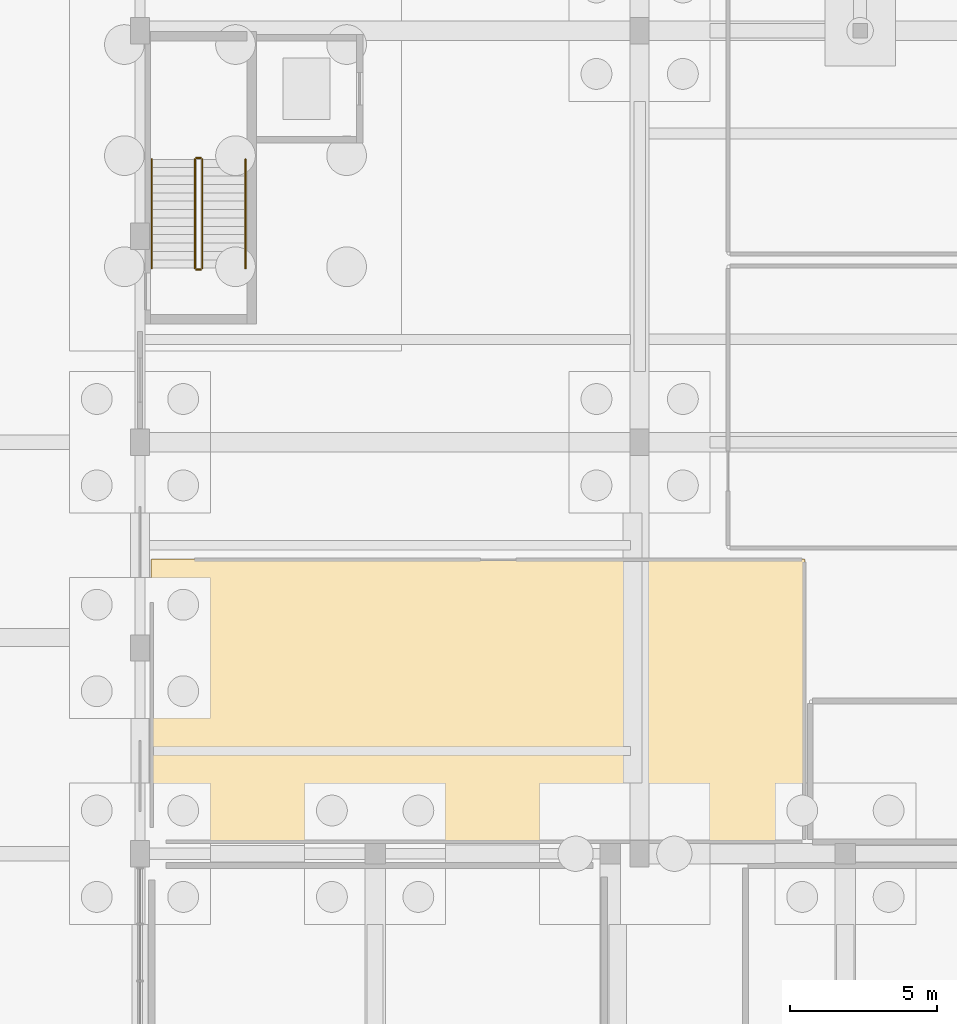
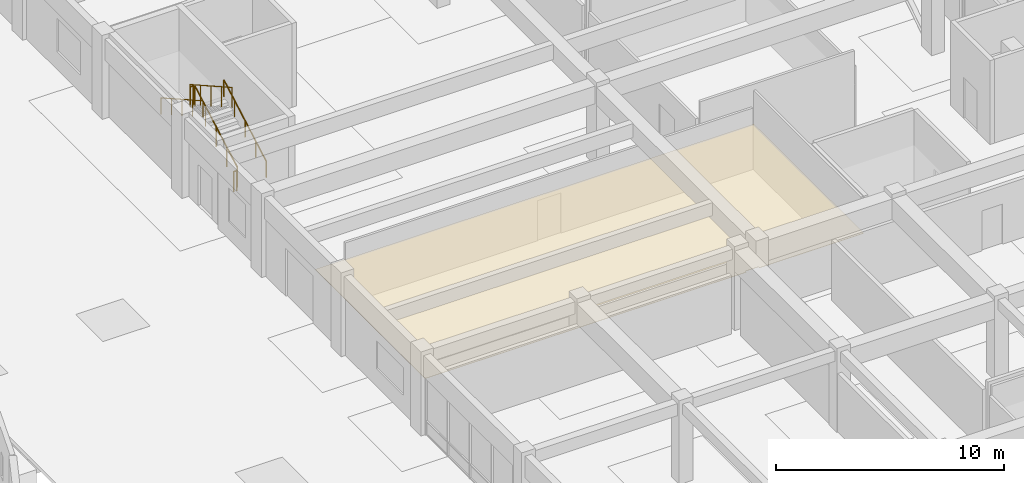
# One storey, part 71 of 84: 6 railings, 1 covering.
"""IFC4 building model written with IfcOpenShell, lengths in metres."""

from ifc_helpers import new_model, si_unit, direction, frame, origin, origin_2d, place, context, subcontext, project, spatial, polyline, circle, outline, extrude, material, layer, layer_set, type_object, element, save


model = new_model("IFC4")

# Units and contexts
model_context = context("Model", 3, precision=1e-05, world=origin(), true_north=direction((0.0, 1.0)))
body_context = subcontext(model_context, "Body", "Model", "MODEL_VIEW")
ifc_project = project(units=[si_unit("LENGTHUNIT", "METRE"), si_unit("AREAUNIT", "SQUARE_METRE"), si_unit("VOLUMEUNIT", "CUBIC_METRE"), si_unit("PLANEANGLEUNIT", "RADIAN"), si_unit("MASSUNIT", "GRAM", prefix="KILO")], contexts=[model_context])

# Site, building, storey
site_placement = place(None, origin())
site = spatial("IfcSite", under=ifc_project, at=site_placement, CompositionType="ELEMENT")
building_placement = place(site_placement, origin())
building = spatial("IfcBuilding", under=site, at=building_placement, Name="Larkveld Mobility Hub", CompositionType="ELEMENT")
storey_placement = place(building_placement, origin())
storey = spatial("IfcBuildingStorey", under=building, at=storey_placement, Name="L00", CompositionType="ELEMENT", Elevation=0.0)

# Covering
ifc_material_1 = material(Name="Perforated mineral-fibre acoustic ceiling", Category="masonry")
ifc_layer = layer(ifc_material_1, 0.02001953125, Name="Perforated mineral-fibre acoustic ceiling", Category="masonry")
ifc_layer_set = layer_set([ifc_layer], Name="Perforated mineral-fibre acoustic ceiling")
covering_type = type_object("IfcCoveringType", Name="CV-CLG-020", PredefinedType="CEILING", material=ifc_layer_set)
covering_placement = place(storey_placement, frame((0.0, 0.0, 2.330078125)))
element("IfcCovering", 1, at=covering_placement, inside=storey, type_object=covering_type, Name="Intermodal Ticketing and Wayfinding Hall Acoustic Ceiling 006", PredefinedType="CEILING", context=body_context, shape_type="SweptSolid", body=[
    extrude(outline(polyline([(112.4169921875, 28.3701171875), (112.4140625, 28.37109375), (112.410888671875, 28.37109375), (112.408935546875, 28.3720703125), (112.406005859375, 28.3740234375), (112.403076171875, 28.375), (112.40087890625, 28.376953125), (112.39892578125, 28.37890625), (112.37890625, 28.39892578125), (112.376953125, 28.40087890625), (112.375, 28.403076171875), (112.3740234375, 28.406005859375), (112.3720703125, 28.408935546875), (112.37109375, 28.410888671875), (112.37109375, 28.4140625), (112.3701171875, 28.4169921875), (112.3701171875, 28.419921875), (112.3701171875, 37.97998046875), (112.3701171875, 37.98291015625), (112.37109375, 37.986083984375), (112.37109375, 37.989013671875), (112.3720703125, 37.990966796875), (112.3740234375, 37.993896484375), (112.375, 37.9970703125), (112.386962890625, 38.014892578125), (112.388916015625, 38.01806640625), (112.39111328125, 38.02001953125), (112.39306640625, 38.02197265625), (112.39599609375, 38.02294921875), (112.39794921875, 38.02490234375), (112.40087890625, 38.02587890625), (112.404052734375, 38.027099609375), (112.406005859375, 38.028076171875), (112.408935546875, 38.028076171875), (112.412109375, 38.028076171875), (134.580078125, 38.030029296875), (134.5830078125, 38.030029296875), (134.5859375, 38.029052734375), (134.589111328125, 38.029052734375), (134.591064453125, 38.028076171875), (134.593994140625, 38.02587890625), (134.596923828125, 38.02490234375), (134.614990234375, 38.012939453125), (134.617919921875, 38.010986328125), (134.6201171875, 38.009033203125), (134.6220703125, 38.007080078125), (134.623046875, 38.00390625), (134.625, 38.001953125), (134.6259765625, 37.9990234375), (134.626953125, 37.99609375), (134.6279296875, 37.993896484375), (134.6279296875, 37.990966796875), (134.6279296875, 37.988037109375), (134.6298828125, 28.419921875), (134.6298828125, 28.4169921875), (134.62890625, 28.4140625), (134.62890625, 28.410888671875), (134.6279296875, 28.408935546875), (134.6259765625, 28.406005859375), (134.625, 28.403076171875), (134.613037109375, 28.385009765625), (134.611083984375, 28.382080078125), (134.60888671875, 28.3798828125), (134.60693359375, 28.3779296875), (134.60400390625, 28.376953125), (134.60205078125, 28.375), (134.59912109375, 28.3740234375), (134.595947265625, 28.373046875), (134.593994140625, 28.3720703125), (134.591064453125, 28.3720703125), (134.587890625, 28.3720703125), (129.330078125, 28.37109375), (129.330078125, 28.455078125), (128.669921875, 28.455078125), (128.669921875, 28.37109375), (112.419921875, 28.3701171875), (112.4169921875, 28.3701171875)])), origin(), (0.0, 0.0, 1.0), 0.02001953125),
])

# Railings
ifc_material_2 = material(Name="Galvanized Steel S355JR balustrade", Category="steel")
railing_type_1 = type_object("IfcRailingType", Name="RL-GRD-1100", PredefinedType="GUARDRAIL", material=ifc_material_2)
railing_1_placement = place(storey_placement, frame((114.1201171875, 47.919921875, 0.16064453125)))
element("IfcRailing", 2, at=railing_1_placement, inside=storey, type_object=railing_type_1, Name="L00 ST3 stair guard 1", PredefinedType="GUARDRAIL", context=body_context, shape_type="SweptSolid", body=[
    extrude(circle(Radius=0.02392578125, at=origin_2d()), frame((0.0, 0.0, 1.076171875), z_axis=(0.0, 0.871047735535, 0.491198373795), x_axis=(-1.0, 0.0, 0.0)), (0.0, 0.0, 1.0), 4.253662109375),
    extrude(circle(Radius=0.02099609375, at=origin_2d()), origin(), (0.0, 0.0, 1.0), 1.052001953125),
    extrude(circle(Radius=0.02099609375, at=origin_2d()), frame((0.0, 0.92626953125, 0.5224609375)), (0.0, 0.0, 1.0), 1.052001953125),
    extrude(circle(Radius=0.02099609375, at=origin_2d()), frame((0.0, 1.8525390625, 1.044677734375)), (0.0, 0.0, 1.0), 1.052001953125),
    extrude(circle(Radius=0.02099609375, at=origin_2d()), frame((0.0, 2.77880859375, 1.56689453125)), (0.0, 0.0, 1.0), 1.052001953125),
    extrude(circle(Radius=0.02099609375, at=origin_2d()), frame((0.0, 3.705078125, 2.08935546875)), (0.0, 0.0, 1.0), 1.052001953125),
])
railing_2_placement = place(storey_placement, frame((114.070068359375, 51.675048828125, 2.25)))
element("IfcRailing", 3, at=railing_2_placement, inside=storey, type_object=railing_type_1, Name="L00 ST3 stair guard 2", PredefinedType="GUARDRAIL", context=body_context, shape_type="SweptSolid", body=[
    extrude(circle(Radius=0.02392578125, at=origin_2d()), frame((0.0, 0.0, 1.076171875), z_axis=(-1.0, 0.0, 0.0), x_axis=(0.0, -1.0, 0.0)), (0.0, 0.0, 1.0), 0.150146484375),
    extrude(circle(Radius=0.02099609375, at=origin_2d()), origin(), (0.0, 0.0, 1.0), 1.052001953125),
    extrude(circle(Radius=0.02099609375, at=origin_2d()), frame((-0.150146484375, 0.0, 0.0)), (0.0, 0.0, 1.0), 1.052001953125),
])
railing_3_placement = place(storey_placement, frame((113.8701171875, 51.625, 2.41064453125)))
element("IfcRailing", 4, at=railing_3_placement, inside=storey, type_object=railing_type_1, Name="L00 ST3 stair guard 3", PredefinedType="GUARDRAIL", context=body_context, shape_type="SweptSolid", body=[
    extrude(circle(Radius=0.02392578125, at=origin_2d()), frame((0.0, 0.0, 1.076171875), z_axis=(0.0, -0.871047735535, 0.491198373795), x_axis=(1.0, 0.0, 0.0)), (0.0, 0.0, 1.0), 4.253662109375),
    extrude(circle(Radius=0.02099609375, at=origin_2d()), origin(), (0.0, 0.0, 1.0), 1.052001953125),
    extrude(circle(Radius=0.02099609375, at=origin_2d()), frame((0.0, -0.92626953125, 0.5224609375)), (0.0, 0.0, 1.0), 1.052001953125),
    extrude(circle(Radius=0.02099609375, at=origin_2d()), frame((0.0, -1.8525390625, 1.044677734375)), (0.0, 0.0, 1.0), 1.052001953125),
    extrude(circle(Radius=0.02099609375, at=origin_2d()), frame((0.0, -2.77880859375, 1.56689453125)), (0.0, 0.0, 1.0), 1.052001953125),
    extrude(circle(Radius=0.02099609375, at=origin_2d()), frame((0.0, -3.705078125, 2.08935546875)), (0.0, 0.0, 1.0), 1.052001953125),
])
railing_4_placement = place(storey_placement, frame((114.070068359375, 47.8701171875, 0.0)))
element("IfcRailing", 5, at=railing_4_placement, inside=storey, type_object=railing_type_1, Name="L00 ST3 stair guard 4", PredefinedType="GUARDRAIL", context=body_context, shape_type="SweptSolid", body=[
    extrude(circle(Radius=0.02392578125, at=origin_2d()), frame((0.0, 0.0, 1.076171875), z_axis=(-1.0, 0.0, 0.0), x_axis=(0.0, -1.0, 0.0)), (0.0, 0.0, 1.0), 0.150146484375),
    extrude(circle(Radius=0.02099609375, at=origin_2d()), origin(), (0.0, 0.0, 1.0), 1.052001953125),
    extrude(circle(Radius=0.02099609375, at=origin_2d()), frame((-0.150146484375, 0.0, 0.0)), (0.0, 0.0, 1.0), 1.052001953125),
])
ifc_material_3 = material(Name="Brushed Steel S355JR tubular handrail", Category="steel")
railing_type_2 = type_object("IfcRailingType", Name="RL-HND-0900", PredefinedType="HANDRAIL", material=ifc_material_3)
railing_5_placement = place(storey_placement, frame((115.590087890625, 47.919921875, 0.16064453125)))
element("IfcRailing", 6, at=railing_5_placement, inside=storey, type_object=railing_type_2, Name="L00 ST3 stair handrail 1", PredefinedType="HANDRAIL", context=body_context, shape_type="SweptSolid", body=[
    extrude(circle(Radius=0.02392578125, at=origin_2d()), frame((0.0, 0.0, 0.8759765625), z_axis=(0.0, 0.871047735535, 0.491198373795), x_axis=(-1.0, 0.0, 0.0)), (0.0, 0.0, 1.0), 4.253662109375),
    extrude(circle(Radius=0.02099609375, at=origin_2d()), origin(), (0.0, 0.0, 1.0), 0.851806640625),
    extrude(circle(Radius=0.02099609375, at=origin_2d()), frame((0.0, 0.92626953125, 0.5224609375)), (0.0, 0.0, 1.0), 0.851806640625),
    extrude(circle(Radius=0.02099609375, at=origin_2d()), frame((0.0, 1.8525390625, 1.044677734375)), (0.0, 0.0, 1.0), 0.851806640625),
    extrude(circle(Radius=0.02099609375, at=origin_2d()), frame((0.0, 2.77880859375, 1.56689453125)), (0.0, 0.0, 1.0), 0.851806640625),
    extrude(circle(Radius=0.02099609375, at=origin_2d()), frame((0.0, 3.705078125, 2.08935546875)), (0.0, 0.0, 1.0), 0.851806640625),
])
railing_6_placement = place(storey_placement, frame((112.39990234375, 51.625, 2.41064453125)))
element("IfcRailing", 7, at=railing_6_placement, inside=storey, type_object=railing_type_2, Name="L00 ST3 stair handrail 2", PredefinedType="HANDRAIL", context=body_context, shape_type="SweptSolid", body=[
    extrude(circle(Radius=0.02392578125, at=origin_2d()), frame((0.0, 0.0, 0.8759765625), z_axis=(0.0, -0.871047735535, 0.491198373795), x_axis=(1.0, 0.0, 0.0)), (0.0, 0.0, 1.0), 4.253662109375),
    extrude(circle(Radius=0.02099609375, at=origin_2d()), origin(), (0.0, 0.0, 1.0), 0.851806640625),
    extrude(circle(Radius=0.02099609375, at=origin_2d()), frame((0.0, -0.92626953125, 0.5224609375)), (0.0, 0.0, 1.0), 0.851806640625),
    extrude(circle(Radius=0.02099609375, at=origin_2d()), frame((0.0, -1.8525390625, 1.044677734375)), (0.0, 0.0, 1.0), 0.851806640625),
    extrude(circle(Radius=0.02099609375, at=origin_2d()), frame((0.0, -2.77880859375, 1.56689453125)), (0.0, 0.0, 1.0), 0.851806640625),
    extrude(circle(Radius=0.02099609375, at=origin_2d()), frame((0.0, -3.705078125, 2.08935546875)), (0.0, 0.0, 1.0), 0.851806640625),
])

save(model, "model.ifc")
